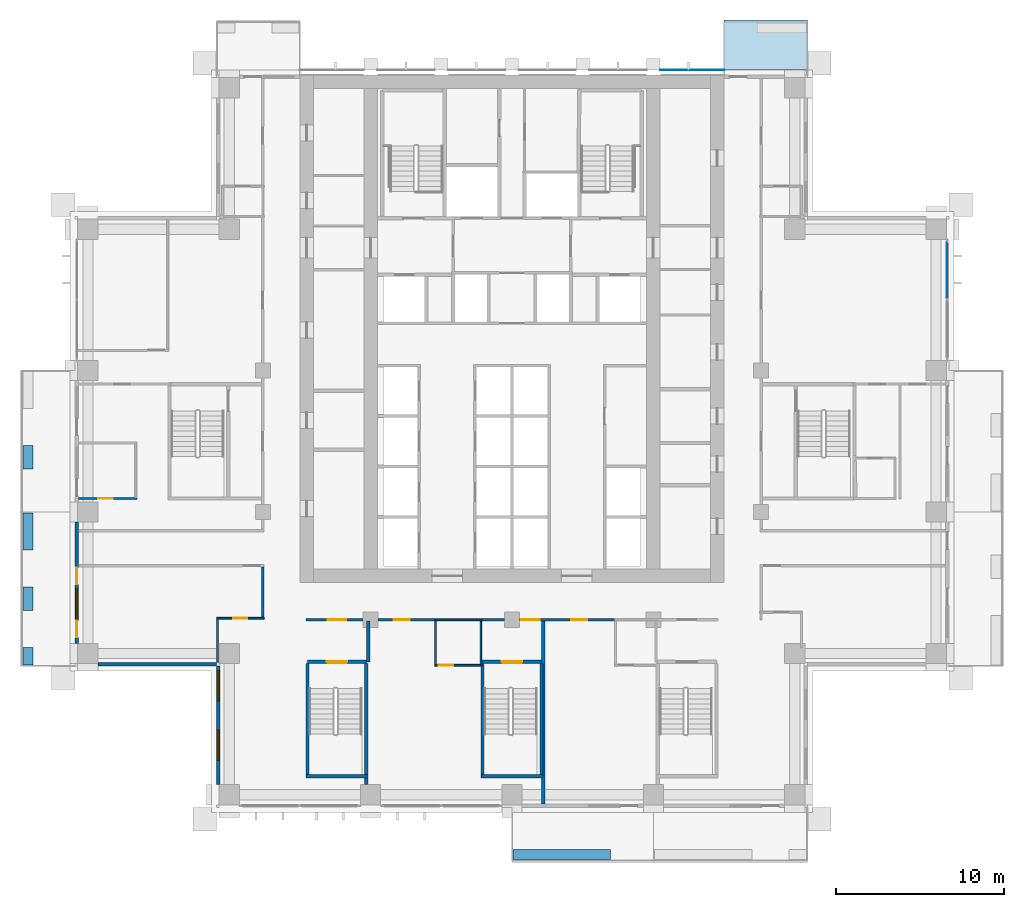
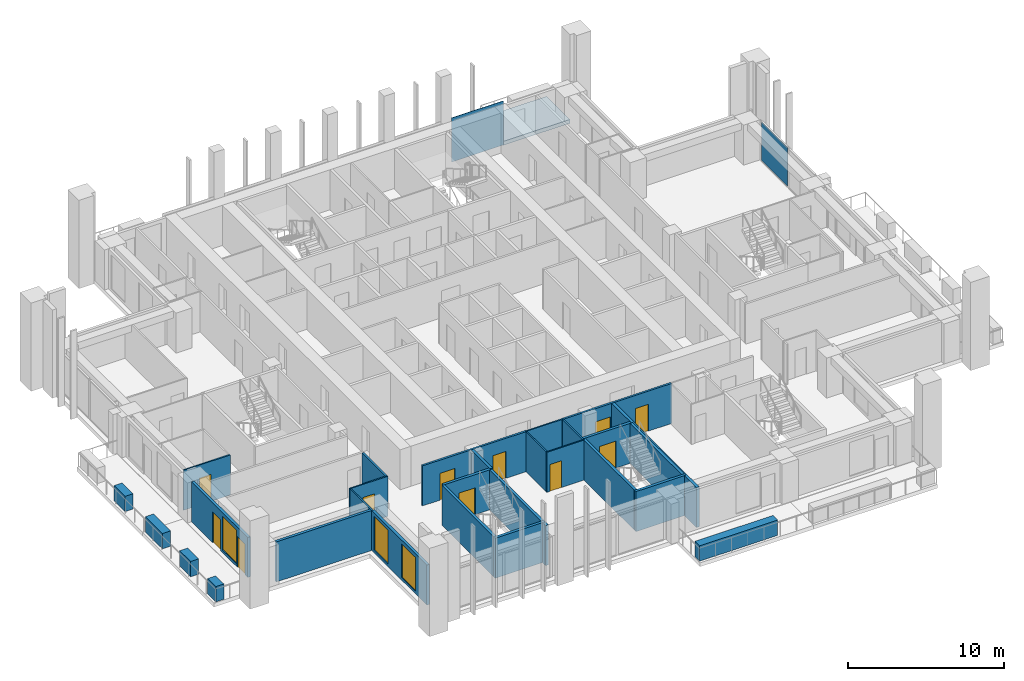
# One storey, part 8 of 19: 28 walls, 11 doors, 3 windows, 2 plates, 1 slab, 14 openings, 1 element without a shape of its own.
"""IFC4 building model written with IfcOpenShell, lengths in metres."""

from ifc_helpers import new_model, si_unit, direction, frame, frame_2d, origin, origin_2d, place, context, subcontext, project, spatial, polyline, rectangle, outline, extrude, material, layer, layer_set, type_object, element, fill, aggregate, save


model = new_model("IFC4")

# Units and contexts
model_context = context("Model", 3, precision=1e-05, world=origin(), true_north=direction((0.0, 1.0)))
body_context = subcontext(model_context, "Body", "Model", "MODEL_VIEW")
ifc_project = project(units=[si_unit("LENGTHUNIT", "METRE"), si_unit("AREAUNIT", "SQUARE_METRE"), si_unit("VOLUMEUNIT", "CUBIC_METRE"), si_unit("PLANEANGLEUNIT", "RADIAN"), si_unit("MASSUNIT", "GRAM", prefix="KILO")], contexts=[model_context])

# Site, building, storey
site_placement = place(None, origin())
site = spatial("IfcSite", under=ifc_project, at=site_placement, CompositionType="ELEMENT")
building_placement = place(site_placement, origin())
building = spatial("IfcBuilding", under=site, at=building_placement, Name="Vermilion Ogive Tower", CompositionType="ELEMENT")
storey_placement = place(building_placement, frame((0.0, 0.0, 104.550048828125)))
storey = spatial("IfcBuildingStorey", under=building, at=storey_placement, Name="L26", CompositionType="ELEMENT", Elevation=104.550048828125)

# Slab
ifc_material_1 = material(Name="Concrete B40", Category="concrete")
ifc_layer_1 = layer(ifc_material_1, 0.300048828125)
ifc_layer_set_1 = layer_set([ifc_layer_1], Name="Balcony slab")
slab_type = type_object("IfcSlabType", Name="Balcony slab", PredefinedType="FLOOR", material=ifc_layer_set_1)
slab_placement = place(storey_placement, frame((0.0, 0.0, -0.340087890625)))
element("IfcSlab", 1, at=slab_placement, inside=storey, type_object=slab_type, Name="Balcony slab N101", PredefinedType="FLOOR", context=body_context, shape_type="SweptSolid", body=[
    extrude(outline(polyline([(17.550048828125, 25.030029296875), (12.60009765625, 25.030029296875), (12.60009765625, 22.050048828125), (17.550048828125, 22.050048828125), (17.550048828125, 25.030029296875)])), origin(), (0.0, 0.0, 1.0), 0.300048828125),
])

# Curtain wall, plate
ifc_material_2 = material(Name="Low-iron laminated glazing in aluminium frame", Category="aluminium")
curtain_wall_type = type_object("IfcCurtainWallType", Name="Curtain wall CW7", PredefinedType="NOTDEFINED", material=ifc_material_2)
curtain_wall_placement = place(storey_placement, origin())
curtain_wall = element("IfcCurtainWall", 2, at=curtain_wall_placement, inside=storey, type_object=curtain_wall_type, Name="Glazed skin E3", PredefinedType="NOTDEFINED")
ifc_material_3 = material(Name="Low-iron laminated glazing in aluminium frame", Category="aluminium")
ifc_layer_2 = layer(ifc_material_3, 0.031982421875)
ifc_layer_set_2 = layer_set([ifc_layer_2], Name="CW7 glazing panel 32")
plate_type_1 = type_object("IfcPlateType", Name="CW7 glazing panel 32", PredefinedType="CURTAIN_PANEL", material=ifc_layer_set_2)
plate_1_placement = place(storey_placement, frame((25.85009765625, 10.155029296875, 0.06005859375), z_axis=(0.0, 0.0, 1.0), x_axis=(0.0, 1.0, 0.0)))
plate_1 = element("IfcPlate", 3, at=plate_1_placement, type_object=plate_type_1, Name="CW7-E3 panel 2.1", PredefinedType="CURTAIN_PANEL", context=body_context, shape_type="SweptSolid", body=[
    extrude(rectangle(XDim=3.330078125, YDim=0.031982421875, at=origin_2d()), origin(), (0.0, 0.0, 1.0), 3.010009765625),
])
aggregate(curtain_wall, [plate_1])

# Plate
ifc_material_4 = material(Name="Low-iron laminated glazing in aluminium frame", Category="aluminium")
ifc_layer_3 = layer(ifc_material_4, 0.031982421875)
ifc_layer_set_3 = layer_set([ifc_layer_3], Name="Glazed rainscreen sheet 32")
plate_type_2 = type_object("IfcPlateType", Name="Glazed rainscreen sheet 32", PredefinedType="SHEET", material=ifc_layer_set_3)
plate_2_placement = place(storey_placement, frame((10.7099609375, 22.06591796875, -0.31982421875), z_axis=(0.0, 0.0, 1.0), x_axis=(1.0, 0.0, 0.0)))
element("IfcPlate", 4, at=plate_2_placement, inside=storey, type_object=plate_type_2, Name="Glazed rainscreen sheet N6", PredefinedType="SHEET", context=body_context, shape_type="SweptSolid", body=[
    extrude(rectangle(XDim=3.820068359375, YDim=0.031982421875, at=origin_2d()), origin(), (0.0, 0.0, 1.0), 3.449951171875),
])

# Wall, opening, door
ifc_material_5 = material(Name="Gypsum board partition on steel studs", Category="steel")
ifc_layer_4 = layer(ifc_material_5, 0.10009765625)
ifc_layer_set_4 = layer_set([ifc_layer_4], Name="Partition 100 bath")
wall_type_1 = type_object("IfcWallType", Name="Partition 100 bath", PredefinedType="PARTITIONING", material=ifc_layer_set_4)
wall_1_placement = place(storey_placement, frame((-4.597900390625, -13.300048828125, 0.0), z_axis=(0.0, 0.0, 1.0), x_axis=(1.0, 0.0, 0.0)))
wall_1 = element("IfcWall", 5, at=wall_1_placement, inside=storey, type_object=wall_type_1, Name="L26-W-W002", PredefinedType="PARTITIONING", context=body_context, shape_type="SweptSolid", body=[
    extrude(rectangle(XDim=2.7958984375, YDim=0.10009765625, at=frame_2d((1.39794921875, 0.0))), origin(), (0.0, 0.0, 1.0), 3.1298828125),
])
opening_1_placement = place(wall_1_placement, frame((0.247802734375, 0.0, 0.0)))
opening_1 = element("IfcOpeningElement", 6, at=opening_1_placement, cuts=wall_1, Name="Opening D2G4010", PredefinedType="OPENING", context=body_context, shape_type="SweptSolid", body=[
    extrude(rectangle(XDim=0.85009765625, YDim=2.10009765625, at=frame_2d((0.425048828125, 1.050048828125))), frame((0.0, 0.06005859375, 0.0), z_axis=(0.0, -1.0, 0.0), x_axis=(1.0, 0.0, 0.0)), (0.0, 0.0, 1.0), 0.1201171875),
])
ifc_material_6 = material(Name="Timber door leaf", Category="wood")
door_type_1 = type_object("IfcDoorType", Name="Bath door 850 x 2100 FD30", OperationType="SINGLE_SWING_LEFT", PredefinedType="DOOR", material=ifc_material_6)
door_1_placement = place(opening_1_placement, origin())
door_1 = element("IfcDoor", 7, at=door_1_placement, inside=storey, type_object=door_type_1, Name="L26-D-D010", OperationType="SINGLE_SWING_LEFT", OverallHeight=2.10009765625, OverallWidth=0.85009765625, PredefinedType="DOOR", context=body_context, shape_type="SweptSolid", body=[
    extrude(rectangle(XDim=0.85009765625, YDim=2.10009765625, at=frame_2d((0.425048828125, 1.050048828125))), frame((0.0, 0.02490234375, 0.0), z_axis=(0.0, -1.0, 0.0), x_axis=(1.0, 0.0, 0.0)), (0.0, 0.0, 1.0), 0.050048828125),
])
fill(opening_1, door_1)

# Wall
wall_2_placement = place(storey_placement, frame((-4.60009765625, -10.60009765625, 0.0), z_axis=(0.0, 0.0, 1.0), x_axis=(1.0, 0.0, 0.0)))
element("IfcWall", 8, at=wall_2_placement, inside=storey, type_object=wall_type_1, Name="L26-W-W008", PredefinedType="PARTITIONING", context=body_context, shape_type="SweptSolid", body=[
    extrude(rectangle(XDim=2.800048828125, YDim=0.10009765625, at=frame_2d((1.39990234375, 0.0))), origin(), (0.0, 0.0, 1.0), 3.1298828125),
])

# Wall, opening, door
wall_3_placement = place(storey_placement, frame((-17.550048828125, -10.510009765625, 0.0), z_axis=(0.0, 0.0, 1.0), x_axis=(1.0, 0.0, 0.0)))
wall_3 = element("IfcWall", 9, at=wall_3_placement, inside=storey, type_object=wall_type_1, Name="L26-W-W012", PredefinedType="PARTITIONING", context=body_context, shape_type="SweptSolid", body=[
    extrude(rectangle(XDim=2.824951171875, YDim=0.10009765625, at=frame_2d((1.41259765625, 0.0))), origin(), (0.0, 0.0, 1.0), 3.1298828125),
])
opening_2_placement = place(wall_3_placement, frame((0.97509765625, 0.0, 0.0)))
opening_2 = element("IfcOpeningElement", 10, at=opening_2_placement, cuts=wall_3, Name="Opening D2G4002", PredefinedType="OPENING", context=body_context, shape_type="SweptSolid", body=[
    extrude(rectangle(XDim=0.85009765625, YDim=2.10009765625, at=frame_2d((0.425048828125, 1.050048828125))), frame((0.0, 0.06005859375, 0.0), z_axis=(0.0, -1.0, 0.0), x_axis=(1.0, 0.0, 0.0)), (0.0, 0.0, 1.0), 0.1201171875),
])
door_2_placement = place(opening_2_placement, origin())
door_2 = element("IfcDoor", 11, at=door_2_placement, inside=storey, type_object=door_type_1, Name="L26-D-D002", OperationType="SINGLE_SWING_RIGHT", OverallHeight=2.10009765625, OverallWidth=0.85009765625, PredefinedType="DOOR", context=body_context, shape_type="SweptSolid", body=[
    extrude(rectangle(XDim=0.85009765625, YDim=2.10009765625, at=frame_2d((0.425048828125, 1.050048828125))), frame((0.0, 0.02490234375, 0.0), z_axis=(0.0, -1.0, 0.0), x_axis=(1.0, 0.0, 0.0)), (0.0, 0.0, 1.0), 0.050048828125),
])
fill(opening_2, door_2)

wall_4_placement = place(storey_placement, frame((-25.75, -3.39990234375, 0.0), z_axis=(0.0, 0.0, 1.0), x_axis=(1.0, 0.0, 0.0)))
wall_4 = element("IfcWall", 12, at=wall_4_placement, inside=storey, type_object=wall_type_1, Name="L26-W-W018", PredefinedType="PARTITIONING", context=body_context, shape_type="SweptSolid", body=[
    extrude(rectangle(XDim=3.447998046875, YDim=0.10009765625, at=frame_2d((1.72412109375, 0.0))), origin(), (0.0, 0.0, 1.0), 3.1298828125),
])
opening_3_placement = place(wall_4_placement, frame((1.175048828125, 0.0, 0.0)))
opening_3 = element("IfcOpeningElement", 13, at=opening_3_placement, cuts=wall_4, Name="Opening D2G4006", PredefinedType="OPENING", context=body_context, shape_type="SweptSolid", body=[
    extrude(rectangle(XDim=0.85009765625, YDim=2.10009765625, at=frame_2d((0.425048828125, 1.050048828125))), frame((0.0, 0.06005859375, 0.0), z_axis=(0.0, -1.0, 0.0), x_axis=(1.0, 0.0, 0.0)), (0.0, 0.0, 1.0), 0.1201171875),
])
door_3_placement = place(opening_3_placement, origin())
door_3 = element("IfcDoor", 14, at=door_3_placement, inside=storey, type_object=door_type_1, Name="L26-D-D006", OperationType="SINGLE_SWING_LEFT", OverallHeight=2.10009765625, OverallWidth=0.85009765625, PredefinedType="DOOR", context=body_context, shape_type="SweptSolid", body=[
    extrude(rectangle(XDim=0.85009765625, YDim=2.10009765625, at=frame_2d((0.425048828125, 1.050048828125))), frame((0.0, 0.02490234375, 0.0), z_axis=(0.0, -1.0, 0.0), x_axis=(1.0, 0.0, 0.0)), (0.0, 0.0, 1.0), 0.050048828125),
])
fill(opening_3, door_3)

# Walls
wall_5_placement = place(storey_placement, frame((-17.5, -13.35009765625, 0.0), z_axis=(0.0, 0.0, 1.0), x_axis=(0.0, 1.0, 0.0)))
element("IfcWall", 15, at=wall_5_placement, inside=storey, type_object=wall_type_1, Name="L26-W-W038", PredefinedType="PARTITIONING", context=body_context, shape_type="SweptSolid", body=[
    extrude(rectangle(XDim=2.7900390625, YDim=0.10009765625, at=frame_2d((1.39501953125, 0.0))), origin(), (0.0, 0.0, 1.0), 3.1298828125),
])
for number, where, z_axis, x_axis, name in (
    (16, (-4.550048828125, -13.248046875, 0.0), (0.0, 0.0, 1.0), (0.0, 1.0, 0.0), "L26-W-W046"),
    (17, (-1.85009765625, -13.248046875, 0.0), (0.0, 0.0, 1.0), (0.0, 1.0, 0.0), "L26-W-W047"),
):
    element("IfcWall", number, at=place(storey_placement, frame(where, z_axis=z_axis, x_axis=x_axis)), inside=storey, type_object=wall_type_1, Name=name, PredefinedType="PARTITIONING", context=body_context, shape_type="SweptSolid", body=[
        extrude(rectangle(XDim=2.572998046875, YDim=0.10009765625, at=frame_2d((1.28662109375, 0.0))), origin(), (0.0, 0.0, 1.0), 3.1298828125),
    ])

# Wall, openings, doors
ifc_material_7 = material(Name="Gypsum board partition on steel studs", Category="steel")
ifc_layer_5 = layer(ifc_material_7, 0.14990234375)
ifc_layer_set_5 = layer_set([ifc_layer_5], Name="Partition 150 corridor")
wall_type_2 = type_object("IfcWallType", Name="Partition 150 corridor", PredefinedType="PARTITIONING", material=ifc_layer_set_5)
wall_6_placement = place(storey_placement, frame((-12.25, -10.60009765625, 0.0), z_axis=(0.0, 0.0, 1.0), x_axis=(1.0, 0.0, 0.0)))
wall_6 = element("IfcWall", 18, at=wall_6_placement, inside=storey, type_object=wall_type_2, Name="L26-W-W007", PredefinedType="PARTITIONING", context=body_context, shape_type="SweptSolid", body=[
    extrude(rectangle(XDim=7.75, YDim=0.14990234375, at=frame_2d((3.875, 0.0))), origin(), (0.0, 0.0, 1.0), 3.1298828125),
])
opening_4_placement = place(wall_6_placement, frame((5.22509765625, 0.0, 0.0)))
opening_4 = element("IfcOpeningElement", 19, at=opening_4_placement, cuts=wall_6, Name="Opening D2G4009", PredefinedType="OPENING", context=body_context, shape_type="SweptSolid", body=[
    extrude(rectangle(XDim=0.949951171875, YDim=2.10009765625, at=frame_2d((0.47509765625, 1.050048828125))), frame((0.0, 0.0849609375, 0.0), z_axis=(0.0, -1.0, 0.0), x_axis=(1.0, 0.0, 0.0)), (0.0, 0.0, 1.0), 0.169921875),
])
opening_5_placement = place(wall_6_placement, frame((1.300048828125, 0.0, 0.0)))
opening_5 = element("IfcOpeningElement", 20, at=opening_5_placement, cuts=wall_6, Name="Opening D2G4021", PredefinedType="OPENING", context=body_context, shape_type="SweptSolid", body=[
    extrude(rectangle(XDim=1.10009765625, YDim=2.10009765625, at=frame_2d((0.550048828125, 1.050048828125))), frame((0.0, 0.0849609375, 0.0), z_axis=(0.0, -1.0, 0.0), x_axis=(1.0, 0.0, 0.0)), (0.0, 0.0, 1.0), 0.169921875),
])
ifc_material_8 = material(Name="Timber door leaf", Category="wood")
door_type_2 = type_object("IfcDoorType", Name="Stair door 1100 x 2100 FD60S", OperationType="SINGLE_SWING_LEFT", PredefinedType="DOOR", material=ifc_material_8)
door_4_placement = place(opening_5_placement, origin())
door_4 = element("IfcDoor", 21, at=door_4_placement, inside=storey, type_object=door_type_2, Name="L26-D-D021", OperationType="SINGLE_SWING_RIGHT", OverallHeight=2.10009765625, OverallWidth=1.10009765625, PredefinedType="DOOR", context=body_context, shape_type="SweptSolid", body=[
    extrude(rectangle(XDim=1.10009765625, YDim=2.10009765625, at=frame_2d((0.550048828125, 1.050048828125))), frame((0.0, 0.02490234375, 0.0), z_axis=(0.0, -1.0, 0.0), x_axis=(1.0, 0.0, 0.0)), (0.0, 0.0, 1.0), 0.050048828125),
])
fill(opening_5, door_4)
ifc_material_9 = material(Name="Timber door leaf", Category="wood")
door_type_3 = type_object("IfcDoorType", Name="Unit door 950 x 2100 FD30S", OperationType="SINGLE_SWING_LEFT", PredefinedType="DOOR", material=ifc_material_9)
door_5_placement = place(opening_4_placement, origin())
door_5 = element("IfcDoor", 22, at=door_5_placement, inside=storey, type_object=door_type_3, Name="L26-D-D009", OperationType="SINGLE_SWING_LEFT", OverallHeight=2.10009765625, OverallWidth=0.949951171875, PredefinedType="DOOR", context=body_context, shape_type="SweptSolid", body=[
    extrude(rectangle(XDim=0.949951171875, YDim=2.10009765625, at=frame_2d((0.47509765625, 1.050048828125))), frame((0.0, 0.02490234375, 0.0), z_axis=(0.0, -1.0, 0.0), x_axis=(1.0, 0.0, 0.0)), (0.0, 0.0, 1.0), 0.050048828125),
])
fill(opening_4, door_5)

wall_7_placement = place(storey_placement, frame((-1.89990234375, -10.60009765625, 0.0), z_axis=(0.0, 0.0, 1.0), x_axis=(1.0, 0.0, 0.0)))
wall_7 = element("IfcWall", 23, at=wall_7_placement, inside=storey, type_object=wall_type_2, Name="L26-W-W009", PredefinedType="PARTITIONING", context=body_context, shape_type="SweptSolid", body=[
    extrude(rectangle(XDim=8.099853515625, YDim=0.14990234375, at=frame_2d((4.0498046875, 0.0))), origin(), (0.0, 0.0, 1.0), 3.1298828125),
])
opening_6_placement = place(wall_7_placement, frame((5.4248046875, 0.0, 0.0)))
opening_6 = element("IfcOpeningElement", 24, at=opening_6_placement, cuts=wall_7, Name="Opening D2G4011", PredefinedType="OPENING", context=body_context, shape_type="SweptSolid", body=[
    extrude(rectangle(XDim=0.949951171875, YDim=2.10009765625, at=frame_2d((0.47509765625, 1.050048828125))), frame((0.0, 0.0849609375, 0.0), z_axis=(0.0, -1.0, 0.0), x_axis=(1.0, 0.0, 0.0)), (0.0, 0.0, 1.0), 0.169921875),
])
opening_7_placement = place(wall_7_placement, frame((2.449951171875, 0.0, 0.0)))
opening_7 = element("IfcOpeningElement", 25, at=opening_7_placement, cuts=wall_7, Name="Opening D2G4023", PredefinedType="OPENING", context=body_context, shape_type="SweptSolid", body=[
    extrude(rectangle(XDim=1.10009765625, YDim=2.10009765625, at=frame_2d((0.550048828125, 1.050048828125))), frame((0.0, 0.0849609375, 0.0), z_axis=(0.0, -1.0, 0.0), x_axis=(1.0, 0.0, 0.0)), (0.0, 0.0, 1.0), 0.169921875),
])
door_6_placement = place(opening_7_placement, origin())
door_6 = element("IfcDoor", 26, at=door_6_placement, inside=storey, type_object=door_type_2, Name="L26-D-D023", OperationType="SINGLE_SWING_LEFT", OverallHeight=2.10009765625, OverallWidth=1.10009765625, PredefinedType="DOOR", context=body_context, shape_type="SweptSolid", body=[
    extrude(rectangle(XDim=1.10009765625, YDim=2.10009765625, at=frame_2d((0.550048828125, 1.050048828125))), frame((0.0, 0.02490234375, 0.0), z_axis=(0.0, -1.0, 0.0), x_axis=(1.0, 0.0, 0.0)), (0.0, 0.0, 1.0), 0.050048828125),
])
fill(opening_7, door_6)
door_7_placement = place(opening_6_placement, origin())
door_7 = element("IfcDoor", 27, at=door_7_placement, inside=storey, type_object=door_type_3, Name="L26-D-D011", OperationType="SINGLE_SWING_LEFT", OverallHeight=2.10009765625, OverallWidth=0.949951171875, PredefinedType="DOOR", context=body_context, shape_type="SweptSolid", body=[
    extrude(rectangle(XDim=0.949951171875, YDim=2.10009765625, at=frame_2d((0.47509765625, 1.050048828125))), frame((0.0, 0.02490234375, 0.0), z_axis=(0.0, -1.0, 0.0), x_axis=(1.0, 0.0, 0.0)), (0.0, 0.0, 1.0), 0.050048828125),
])
fill(opening_6, door_7)

# Walls
wall_8_placement = place(storey_placement, frame((-14.800048828125, -10.4599609375, 0.0), z_axis=(0.0, 0.0, 1.0), x_axis=(0.0, 1.0, 0.0)))
element("IfcWall", 28, at=wall_8_placement, inside=storey, type_object=wall_type_2, Name="L26-W-W041", PredefinedType="PARTITIONING", context=body_context, shape_type="SweptSolid", body=[
    extrude(rectangle(XDim=2.98486328125, YDim=0.14990234375, at=frame_2d((1.492431640625, 0.0))), origin(), (0.0, 0.0, 1.0), 3.1298828125),
])
ifc_material_10 = material(Name="Gypsum board partition on steel studs", Category="steel")
ifc_layer_6 = layer(ifc_material_10, 0.199951171875)
ifc_layer_set_6 = layer_set([ifc_layer_6], Name="Partition 200 party")
wall_type_3 = type_object("IfcWallType", Name="Partition 200 party", PredefinedType="PARTITIONING", material=ifc_layer_set_6)
wall_9_placement = place(storey_placement, frame((-8.550048828125, -13.10009765625, 0.0), z_axis=(0.0, 0.0, 1.0), x_axis=(0.0, 1.0, 0.0)))
element("IfcWall", 29, at=wall_9_placement, inside=storey, type_object=wall_type_3, Name="L26-W-W045", PredefinedType="PARTITIONING", context=body_context, shape_type="SweptSolid", body=[
    extrude(rectangle(XDim=2.425048828125, YDim=0.199951171875, at=frame_2d((1.21240234375, 0.0))), origin(), (0.0, 0.0, 1.0), 3.1298828125),
])
ifc_material_11 = material(Name="Concrete B60", Category="concrete")
ifc_layer_7 = layer(ifc_material_11, 0.199951171875)
ifc_layer_set_7 = layer_set([ifc_layer_7], Name="Stair shaft wall 200 Concrete B60")
wall_type_4 = type_object("IfcWallType", Name="Stair shaft wall 200 Concrete B60", PredefinedType="SOLIDWALL", material=ifc_layer_set_7)
wall_10_placement = place(storey_placement, frame((-1.847900390625, -19.89990234375, 0.0), z_axis=(0.0, 0.0, 1.0), x_axis=(1.0, 0.0, 0.0)))
element("IfcWall", 30, at=wall_10_placement, inside=storey, type_object=wall_type_4, Name="L26-W-W001", PredefinedType="SOLIDWALL", context=body_context, shape_type="SweptSolid", body=[
    extrude(rectangle(XDim=3.69580078125, YDim=0.199951171875, at=frame_2d((1.847900390625, 0.0))), origin(), (0.0, 0.0, 1.0), 3.1298828125),
])

# Wall, opening, door
wall_11_placement = place(storey_placement, frame((-12.14990234375, -13.10009765625, 0.0), z_axis=(0.0, 0.0, 1.0), x_axis=(1.0, 0.0, 0.0)))
wall_11 = element("IfcWall", 31, at=wall_11_placement, inside=storey, type_object=wall_type_4, Name="L26-W-W004", PredefinedType="SOLIDWALL", context=body_context, shape_type="SweptSolid", body=[
    extrude(rectangle(XDim=3.5, YDim=0.199951171875, at=frame_2d((1.75, 0.0))), origin(), (0.0, 0.0, 1.0), 3.1298828125),
])
opening_8_placement = place(wall_11_placement, frame((1.14990234375, 0.0, 0.0)))
opening_8 = element("IfcOpeningElement", 32, at=opening_8_placement, cuts=wall_11, Name="Opening D2G4022", PredefinedType="OPENING", context=body_context, shape_type="SweptSolid", body=[
    extrude(rectangle(XDim=1.199951171875, YDim=2.10009765625, at=frame_2d((0.60009765625, 1.050048828125))), frame((0.0, 0.10986328125, 0.0), z_axis=(0.0, -1.0, 0.0), x_axis=(1.0, 0.0, 0.0)), (0.0, 0.0, 1.0), 0.219970703125),
])
ifc_material_12 = material(Name="Timber door leaf", Category="wood")
door_type_4 = type_object("IfcDoorType", Name="Stair door 1200 x 2100 FD60S", OperationType="SINGLE_SWING_LEFT", PredefinedType="DOOR", material=ifc_material_12)
door_8_placement = place(opening_8_placement, origin())
door_8 = element("IfcDoor", 33, at=door_8_placement, inside=storey, type_object=door_type_4, Name="L26-D-D022", OperationType="SINGLE_SWING_RIGHT", OverallHeight=2.10009765625, OverallWidth=1.199951171875, PredefinedType="DOOR", context=body_context, shape_type="SweptSolid", body=[
    extrude(rectangle(XDim=1.199951171875, YDim=2.10009765625, at=frame_2d((0.60009765625, 1.050048828125))), frame((0.0, 0.02490234375, 0.0), z_axis=(0.0, -1.0, 0.0), x_axis=(1.0, 0.0, 0.0)), (0.0, 0.0, 1.0), 0.050048828125),
])
fill(opening_8, door_8)

wall_12_placement = place(storey_placement, frame((-1.798095703125, -13.10009765625, 0.0), z_axis=(0.0, 0.0, 1.0), x_axis=(1.0, 0.0, 0.0)))
wall_12 = element("IfcWall", 34, at=wall_12_placement, inside=storey, type_object=wall_type_4, Name="L26-W-W005", PredefinedType="SOLIDWALL", context=body_context, shape_type="SweptSolid", body=[
    extrude(rectangle(XDim=3.546142578125, YDim=0.199951171875, at=frame_2d((1.77294921875, 0.0))), origin(), (0.0, 0.0, 1.0), 3.1298828125),
])
opening_9_placement = place(wall_12_placement, frame((1.197998046875, 0.0, 0.0)))
opening_9 = element("IfcOpeningElement", 35, at=opening_9_placement, cuts=wall_12, Name="Opening D2G4024", PredefinedType="OPENING", context=body_context, shape_type="SweptSolid", body=[
    extrude(rectangle(XDim=1.199951171875, YDim=2.10009765625, at=frame_2d((0.60009765625, 1.050048828125))), frame((0.0, 0.10986328125, 0.0), z_axis=(0.0, -1.0, 0.0), x_axis=(1.0, 0.0, 0.0)), (0.0, 0.0, 1.0), 0.219970703125),
])
door_9_placement = place(opening_9_placement, origin())
door_9 = element("IfcDoor", 36, at=door_9_placement, inside=storey, type_object=door_type_4, Name="L26-D-D024", OperationType="SINGLE_SWING_RIGHT", OverallHeight=2.10009765625, OverallWidth=1.199951171875, PredefinedType="DOOR", context=body_context, shape_type="SweptSolid", body=[
    extrude(rectangle(XDim=1.199951171875, YDim=2.10009765625, at=frame_2d((0.60009765625, 1.050048828125))), frame((0.0, 0.02490234375, 0.0), z_axis=(0.0, -1.0, 0.0), x_axis=(1.0, 0.0, 0.0)), (0.0, 0.0, 1.0), 0.050048828125),
])
fill(opening_9, door_9)

# Walls
for number, where, z_axis, x_axis, name in (
    (37, (-1.75, -19.798095703125, 0.0), (0.0, 0.0, 1.0), (0.0, 1.0, 0.0), "L26-W-W048"),
    (38, (1.75, -19.798095703125, 0.0), (0.0, 0.0, 1.0), (0.0, 1.0, 0.0), "L26-W-W049"),
):
    element("IfcWall", number, at=place(storey_placement, frame(where, z_axis=z_axis, x_axis=x_axis)), inside=storey, type_object=wall_type_4, Name=name, PredefinedType="SOLIDWALL", context=body_context, shape_type="SweptSolid", body=[
        extrude(rectangle(XDim=6.59619140625, YDim=0.199951171875, at=frame_2d((3.298095703125, 0.0))), origin(), (0.0, 0.0, 1.0), 3.1298828125),
    ])
wall_13_placement = place(storey_placement, frame((-12.25, -19.89990234375, 0.0), z_axis=(0.0, 0.0, 1.0), x_axis=(1.0, 0.0, 0.0)))
element("IfcWall", 39, at=wall_13_placement, inside=storey, type_object=wall_type_4, Name="L26-SW-ST3-S1", PredefinedType="SOLIDWALL", context=body_context, shape_type="SweptSolid", body=[
    extrude(rectangle(XDim=3.699951171875, YDim=0.199951171875, at=frame_2d((1.85009765625, 0.0))), origin(), (0.0, 0.0, 1.0), 3.1298828125),
])
wall_14_placement = place(storey_placement, frame((-12.14990234375, -19.800048828125, 0.0), z_axis=(0.0, 0.0, 1.0), x_axis=(0.0, 1.0, 0.0)))
element("IfcWall", 40, at=wall_14_placement, inside=storey, type_object=wall_type_4, Name="L26-SW-ST3-W1", PredefinedType="SOLIDWALL", context=body_context, shape_type="SweptSolid", body=[
    extrude(rectangle(XDim=6.60009765625, YDim=0.199951171875, at=frame_2d((3.300048828125, 0.0))), origin(), (0.0, 0.0, 1.0), 3.1298828125),
])
wall_15_placement = place(storey_placement, frame((-8.64990234375, -20.39990234375, 0.0), z_axis=(0.0, 0.0, 1.0), x_axis=(0.0, 1.0, 0.0)))
element("IfcWall", 41, at=wall_15_placement, inside=storey, type_object=wall_type_4, Name="L26-SW-ST3-E1", PredefinedType="SOLIDWALL", context=body_context, shape_type="SweptSolid", body=[
    extrude(rectangle(XDim=7.199951171875, YDim=0.199951171875, at=frame_2d((3.60009765625, 0.0))), origin(), (0.0, 0.0, 1.0), 3.1298828125),
])
wall_16_placement = place(storey_placement, frame((1.85009765625, -21.550048828125, 0.0), z_axis=(0.0, 0.0, 1.0), x_axis=(0.0, 1.0, 0.0)))
element("IfcWall", 42, at=wall_16_placement, inside=storey, type_object=wall_type_4, Name="L26-W-W050-A", PredefinedType="SOLIDWALL", context=body_context, shape_type="SweptSolid", body=[
    extrude(rectangle(XDim=10.875, YDim=0.199951171875, at=frame_2d((5.4375, 0.0))), origin(), (0.0, 0.0, 1.0), 3.1298828125),
])
ifc_material_13 = material(Name="Concrete B40", Category="concrete")
ifc_layer_8 = layer(ifc_material_13, 0.60009765625)
ifc_layer_set_8 = layer_set([ifc_layer_8], Name="Structural planter")
wall_type_5 = type_object("IfcWallType", Name="Structural planter", PredefinedType="USERDEFINED", material=ifc_layer_set_8)
wall_17_placement = place(storey_placement, frame((0.06005859375, -24.550048828125, -0.0400390625), z_axis=(0.0, 0.0, 1.0), x_axis=(1.0, 0.0, 0.0)))
element("IfcWall", 43, at=wall_17_placement, inside=storey, type_object=wall_type_5, Name="Planter S03A1", ObjectType="PLANTER", PredefinedType="USERDEFINED", context=body_context, shape_type="SweptSolid", body=[
    extrude(rectangle(XDim=5.7900390625, YDim=0.60009765625, at=frame_2d((2.89501953125, 0.0))), origin(), (0.0, 0.0, 1.0), 1.199951171875),
])
wall_18_placement = place(storey_placement, frame((-28.75, -0.25, -0.0400390625), z_axis=(0.0, 0.0, 1.0), x_axis=(0.0, -1.0, 0.0)))
element("IfcWall", 44, at=wall_18_placement, inside=storey, type_object=wall_type_5, Name="Planter W02A2", ObjectType="PLANTER", PredefinedType="USERDEFINED", context=body_context, shape_type="SweptSolid", body=[
    extrude(rectangle(XDim=1.39990234375, YDim=0.60009765625, at=frame_2d((0.699951171875, 0.0))), origin(), (0.0, 0.0, 1.0), 1.199951171875),
])
wall_19_placement = place(storey_placement, frame((-28.75, -4.260009765625, -0.0400390625), z_axis=(0.0, 0.0, 1.0), x_axis=(0.0, -1.0, 0.0)))
element("IfcWall", 45, at=wall_19_placement, inside=storey, type_object=wall_type_5, Name="Planter W03A1", ObjectType="PLANTER", PredefinedType="USERDEFINED", context=body_context, shape_type="SweptSolid", body=[
    extrude(rectangle(XDim=2.18994140625, YDim=0.60009765625, at=frame_2d((1.094970703125, 0.0))), origin(), (0.0, 0.0, 1.0), 1.199951171875),
])
wall_20_placement = place(storey_placement, frame((-28.75, -8.64990234375, -0.0400390625), z_axis=(0.0, 0.0, 1.0), x_axis=(0.0, -1.0, 0.0)))
element("IfcWall", 46, at=wall_20_placement, inside=storey, type_object=wall_type_5, Name="Planter W03A2", ObjectType="PLANTER", PredefinedType="USERDEFINED", context=body_context, shape_type="SweptSolid", body=[
    extrude(rectangle(XDim=1.400146484375, YDim=0.60009765625, at=frame_2d((0.7001953125, 0.0))), origin(), (0.0, 0.0, 1.0), 1.199951171875),
])
wall_21_placement = place(storey_placement, frame((-28.75, -12.25, -0.0400390625), z_axis=(0.0, 0.0, 1.0), x_axis=(0.0, -1.0, 0.0)))
element("IfcWall", 47, at=wall_21_placement, inside=storey, type_object=wall_type_5, Name="Planter W03A3", ObjectType="PLANTER", PredefinedType="USERDEFINED", context=body_context, shape_type="SweptSolid", body=[
    extrude(rectangle(XDim=1.0400390625, YDim=0.60009765625, at=frame_2d((0.52001953125, 0.0))), origin(), (0.0, 0.0, 1.0), 1.199951171875),
])

# Wall, openings, doors, window
ifc_material_14 = material(Name="Aluminium window wall framing", Category="aluminium")
ifc_layer_9 = layer(ifc_material_14, 0.199951171875)
ifc_layer_set_9 = layer_set([ifc_layer_9], Name="Window wall")
wall_type_6 = type_object("IfcWallType", Name="Window wall", PredefinedType="STANDARD", material=ifc_layer_set_9)
wall_22_placement = place(storey_placement, frame((-25.85009765625, -4.800048828125, 0.0), z_axis=(0.0, 0.0, 1.0), x_axis=(0.0, -1.0, 0.0)))
wall_22 = element("IfcWall", 48, at=wall_22_placement, inside=storey, type_object=wall_type_6, Name="Window wall W3", PredefinedType="STANDARD", context=body_context, shape_type="SweptSolid", body=[
    extrude(rectangle(XDim=7.199951171875, YDim=0.199951171875, at=frame_2d((3.60009765625, 0.0))), origin(), (0.0, 0.0, 1.0), 3.1298828125),
])
opening_10_placement = place(wall_22_placement, frame((3.949951171875, 0.0, 0.199951171875)))
opening_10 = element("IfcOpeningElement", 49, at=opening_10_placement, cuts=wall_22, Name="Opening W1-W97", PredefinedType="OPENING", context=body_context, shape_type="SweptSolid", body=[
    extrude(rectangle(XDim=1.800048828125, YDim=2.64990234375, at=frame_2d((0.89990234375, 1.324951171875))), frame((0.0, 0.10986328125, 0.0), z_axis=(0.0, -1.0, 0.0), x_axis=(1.0, 0.0, 0.0)), (0.0, 0.0, 1.0), 0.219970703125),
])
opening_11_placement = place(wall_22_placement, frame((5.85009765625, 0.0, 0.0)))
opening_11 = element("IfcOpeningElement", 50, at=opening_11_placement, cuts=wall_22, Name="Opening D1-W97", PredefinedType="OPENING", context=body_context, shape_type="SweptSolid", body=[
    extrude(rectangle(XDim=1.0, YDim=2.39990234375, at=frame_2d((0.5, 1.199951171875))), frame((0.0, 0.10986328125, 0.0), z_axis=(0.0, -1.0, 0.0), x_axis=(1.0, 0.0, 0.0)), (0.0, 0.0, 1.0), 0.219970703125),
])
opening_12_placement = place(wall_22_placement, frame((2.699951171875, 0.0, 0.0)))
opening_12 = element("IfcOpeningElement", 51, at=opening_12_placement, cuts=wall_22, Name="Opening D1-W98", PredefinedType="OPENING", context=body_context, shape_type="SweptSolid", body=[
    extrude(rectangle(XDim=1.0, YDim=2.39990234375, at=frame_2d((0.5, 1.199951171875))), frame((0.0, 0.10986328125, 0.0), z_axis=(0.0, -1.0, 0.0), x_axis=(1.0, 0.0, 0.0)), (0.0, 0.0, 1.0), 0.219970703125),
])
ifc_material_15 = material(Name="Aluminium framed glazed door", Category="aluminium")
door_type_5 = type_object("IfcDoorType", Name="Balcony door D1", OperationType="SINGLE_SWING_LEFT", PredefinedType="DOOR", material=ifc_material_15)
door_10_placement = place(opening_11_placement, origin())
door_10 = element("IfcDoor", 52, at=door_10_placement, inside=storey, type_object=door_type_5, Name="Balcony door W97", OperationType="SINGLE_SWING_LEFT", OverallHeight=2.39990234375, OverallWidth=1.0, PredefinedType="DOOR", context=body_context, shape_type="SweptSolid", body=[
    extrude(rectangle(XDim=1.0, YDim=2.39990234375, at=frame_2d((0.5, 1.199951171875))), frame((0.0, 0.02490234375, 0.0), z_axis=(0.0, -1.0, 0.0), x_axis=(1.0, 0.0, 0.0)), (0.0, 0.0, 1.0), 0.050048828125),
])
fill(opening_11, door_10)
door_11_placement = place(opening_12_placement, origin())
door_11 = element("IfcDoor", 53, at=door_11_placement, inside=storey, type_object=door_type_5, Name="Balcony door W98", OperationType="SINGLE_SWING_LEFT", OverallHeight=2.39990234375, OverallWidth=1.0, PredefinedType="DOOR", context=body_context, shape_type="SweptSolid", body=[
    extrude(rectangle(XDim=1.0, YDim=2.39990234375, at=frame_2d((0.5, 1.199951171875))), frame((0.0, 0.02490234375, 0.0), z_axis=(0.0, -1.0, 0.0), x_axis=(1.0, 0.0, 0.0)), (0.0, 0.0, 1.0), 0.050048828125),
])
fill(opening_12, door_11)
ifc_material_16 = material(Name="Aluminium framed double glazing", Category="aluminium")
window_type = type_object("IfcWindowType", Name="Guest window W1", PartitioningType="SINGLE_PANEL", PredefinedType="WINDOW", material=ifc_material_16)
window_1_placement = place(opening_10_placement, origin())
window_1 = element("IfcWindow", 54, at=window_1_placement, inside=storey, type_object=window_type, Name="Window W97", OverallHeight=2.64990234375, OverallWidth=1.800048828125, PartitioningType="SINGLE_PANEL", PredefinedType="WINDOW", context=body_context, shape_type="SweptSolid", body=[
    extrude(rectangle(XDim=1.800048828125, YDim=2.64990234375, at=frame_2d((0.89990234375, 1.324951171875))), frame((0.0, 0.030029296875, 0.0), z_axis=(0.0, -1.0, 0.0), x_axis=(1.0, 0.0, 0.0)), (0.0, 0.0, 1.0), 0.06005859375),
])
fill(opening_10, window_1)

# Wall
wall_23_placement = place(storey_placement, frame((-24.60009765625, -13.25, 0.0), z_axis=(0.0, 0.0, 1.0), x_axis=(1.0, 0.0, 0.0)))
element("IfcWall", 55, at=wall_23_placement, inside=storey, type_object=wall_type_6, Name="Window wall X71", PredefinedType="STANDARD", context=body_context, shape_type="SweptSolid", body=[
    extrude(rectangle(XDim=7.050048828125, YDim=0.199951171875, at=frame_2d((3.52490234375, 0.0))), origin(), (0.0, 0.0, 1.0), 3.1298828125),
])

# Wall, openings, windows
wall_24_placement = place(storey_placement, frame((-17.449951171875, -13.35009765625, 0.0), z_axis=(0.0, 0.0, 1.0), x_axis=(0.0, -1.0, 0.0)))
wall_24 = element("IfcWall", 56, at=wall_24_placement, inside=storey, type_object=wall_type_6, Name="Window wall X81", PredefinedType="STANDARD", context=body_context, shape_type="SweptSolid", body=[
    extrude(rectangle(XDim=7.0498046875, YDim=0.199951171875, at=frame_2d((3.52490234375, 0.0))), origin(), (0.0, 0.0, 1.0), 3.1298828125),
])
opening_13_placement = place(wall_24_placement, frame((3.800048828125, 0.0, 0.199951171875)))
opening_13 = element("IfcOpeningElement", 57, at=opening_13_placement, cuts=wall_24, Name="Opening W1-X895", PredefinedType="OPENING", context=body_context, shape_type="SweptSolid", body=[
    extrude(rectangle(XDim=1.800048828125, YDim=2.64990234375, at=frame_2d((0.89990234375, 1.324951171875))), frame((0.0, 0.10986328125, 0.0), z_axis=(0.0, -1.0, 0.0), x_axis=(1.0, 0.0, 0.0)), (0.0, 0.0, 1.0), 0.219970703125),
])
opening_14_placement = place(wall_24_placement, frame((0.27490234375, 0.0, 0.199951171875)))
opening_14 = element("IfcOpeningElement", 58, at=opening_14_placement, cuts=wall_24, Name="Opening W1-X896", PredefinedType="OPENING", context=body_context, shape_type="SweptSolid", body=[
    extrude(rectangle(XDim=1.800048828125, YDim=2.64990234375, at=frame_2d((0.89990234375, 1.324951171875))), frame((0.0, 0.10986328125, 0.0), z_axis=(0.0, -1.0, 0.0), x_axis=(1.0, 0.0, 0.0)), (0.0, 0.0, 1.0), 0.219970703125),
])
window_2_placement = place(opening_13_placement, origin())
window_2 = element("IfcWindow", 59, at=window_2_placement, inside=storey, type_object=window_type, Name="Window X895", OverallHeight=2.64990234375, OverallWidth=1.800048828125, PartitioningType="SINGLE_PANEL", PredefinedType="WINDOW", context=body_context, shape_type="SweptSolid", body=[
    extrude(rectangle(XDim=1.800048828125, YDim=2.64990234375, at=frame_2d((0.89990234375, 1.324951171875))), frame((0.0, 0.030029296875, 0.0), z_axis=(0.0, -1.0, 0.0), x_axis=(1.0, 0.0, 0.0)), (0.0, 0.0, 1.0), 0.06005859375),
])
fill(opening_13, window_2)
window_3_placement = place(opening_14_placement, origin())
window_3 = element("IfcWindow", 60, at=window_3_placement, inside=storey, type_object=window_type, Name="Window X896", OverallHeight=2.64990234375, OverallWidth=1.800048828125, PartitioningType="SINGLE_PANEL", PredefinedType="WINDOW", context=body_context, shape_type="SweptSolid", body=[
    extrude(rectangle(XDim=1.800048828125, YDim=2.64990234375, at=frame_2d((0.89990234375, 1.324951171875))), frame((0.0, 0.030029296875, 0.0), z_axis=(0.0, -1.0, 0.0), x_axis=(1.0, 0.0, 0.0)), (0.0, 0.0, 1.0), 0.06005859375),
])
fill(opening_14, window_3)

save(model, "model.ifc")
